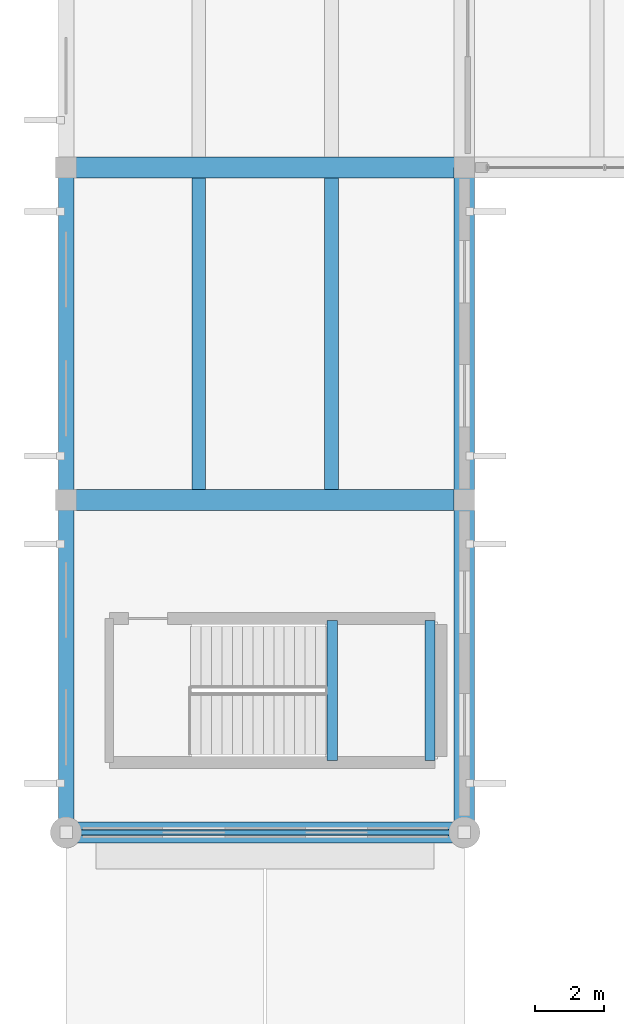
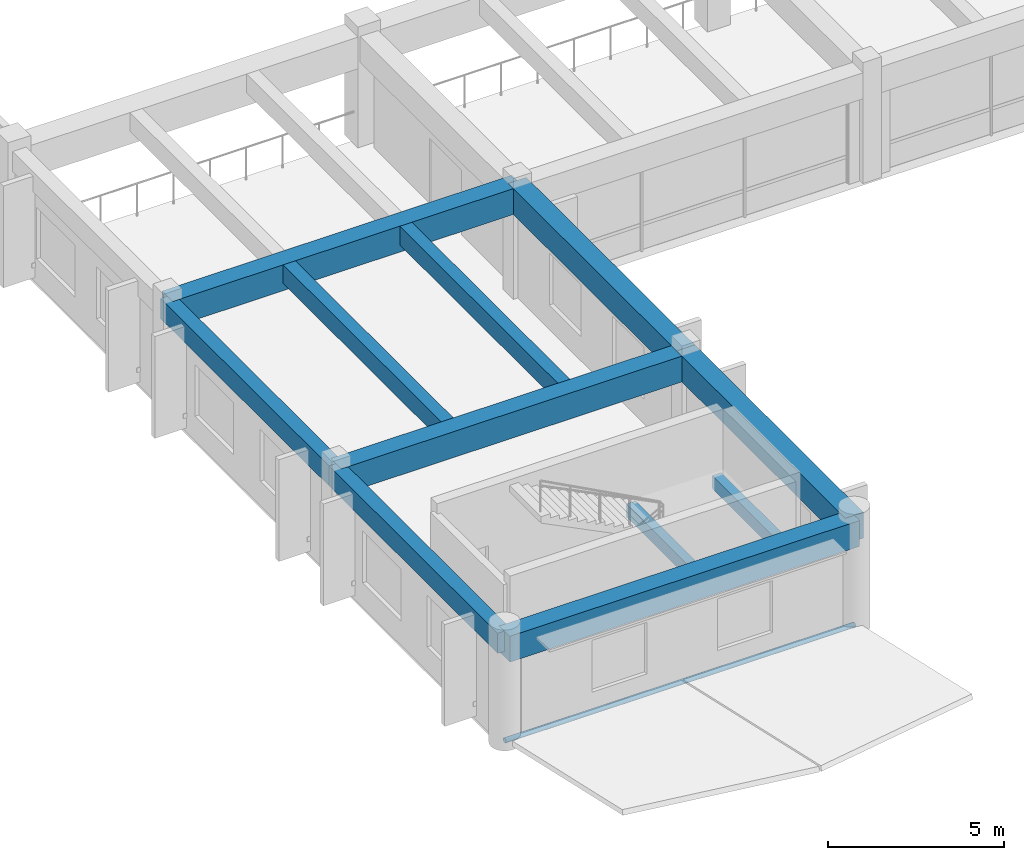
# One storey, part 3 of 98: 11 beams, 1 member.
"""IFC4 building model written with IfcOpenShell, lengths in metres."""

from ifc_helpers import new_model, si_unit, direction, frame, origin, origin_2d, place, context, subcontext, project, spatial, rectangle, hollow_circle, extrude, material, material_profile, profile_set, type_object, element, save


model = new_model("IFC4")

# Units and contexts
model_context = context("Model", 3, precision=1e-05, world=origin(), true_north=direction((0.0, 1.0)))
body_context = subcontext(model_context, "Body", "Model", "MODEL_VIEW")
ifc_project = project(units=[si_unit("LENGTHUNIT", "METRE"), si_unit("AREAUNIT", "SQUARE_METRE"), si_unit("VOLUMEUNIT", "CUBIC_METRE"), si_unit("PLANEANGLEUNIT", "RADIAN"), si_unit("MASSUNIT", "GRAM", prefix="KILO")], contexts=[model_context])

# Site, building, storey
site_placement = place(None, origin())
site = spatial("IfcSite", under=ifc_project, at=site_placement, CompositionType="ELEMENT")
building_placement = place(site_placement, origin())
building = spatial("IfcBuilding", under=site, at=building_placement, Name="Ologun Quay Terminus", CompositionType="ELEMENT")
storey_placement = place(building_placement, frame((0.0, 0.0, 4.199951171875)))
storey = spatial("IfcBuildingStorey", under=building, at=storey_placement, Name="L01", CompositionType="ELEMENT", Elevation=4.199951171875)

# Member
ifc_material_1 = material(Name="Steel S355", Category="steel")
ifc_material_profile_1 = material_profile(ifc_material_1, hollow_circle(Radius=0.084228515625, WallThickness=0.00634765625, at=origin_2d()), Name="CHS 168.3x6.3")
ifc_profile_set_1 = profile_set([ifc_material_profile_1], Name="Steel S355")
member_type = type_object("IfcMemberType", Name="Canopy Tie Strut CHS168", PredefinedType="STRUT", material=ifc_profile_set_1)
member_placement = place(storey_placement, frame((0.0, 8.0, 0.050048828125), z_axis=(1.0, 0.0, 0.0), x_axis=(0.0, 1.0, 0.0)))
element("IfcMember", 1, at=member_placement, inside=storey, type_object=member_type, Name="WB4 Canopy Tie S-1", PredefinedType="STRUT", context=body_context, shape_type="SweptSolid", body=[
    extrude(hollow_circle(Radius=0.084228515625, WallThickness=0.00634765625, at=origin_2d()), origin(), (0.0, 0.0, 1.0), 11.5),
])

# Beams
ifc_material_2 = material(Name="Concrete C40/50", Category="concrete")
ifc_material_profile_2 = material_profile(ifc_material_2, rectangle(XDim=0.300048828125, YDim=0.449951171875, at=origin_2d()), Name="RC 300x450")
ifc_profile_set_2 = profile_set([ifc_material_profile_2], Name="Concrete C40/50")
beam_type_1 = type_object("IfcBeamType", Name="Core Coupling Lintel Beam 300x450", PredefinedType="LINTEL", material=ifc_profile_set_2)
for number, where, z_axis, x_axis, name in (
    (2, (7.68994140625, 10.080078125, 1.695068359375), (0.0, 1.0, 0.0), (-1.0, 0.0, 0.0), "LN1 Half-Landing Ledger Beam ST-S1-W L01"),
    (3, (10.510009765625, 10.080078125, 1.695068359375), (0.0, 1.0, 0.0), (-1.0, 0.0, 0.0), "LN1 Half-Landing Ledger Beam ST-S1-E L01"),
):
    element("IfcBeam", number, at=place(storey_placement, frame(where, z_axis=z_axis, x_axis=x_axis)), inside=storey, type_object=beam_type_1, Name=name, PredefinedType="LINTEL", context=body_context, shape_type="SweptSolid", body=[
        extrude(rectangle(XDim=0.300048828125, YDim=0.449951171875, at=origin_2d()), origin(), (0.0, 0.0, 1.0), 4.0400390625),
    ])
ifc_material_3 = material(Name="Concrete C40/50", Category="concrete")
ifc_material_profile_3 = material_profile(ifc_material_3, rectangle(XDim=0.449951171875, YDim=0.699951171875, at=origin_2d()), Name="RC 450x700")
ifc_profile_set_3 = profile_set([ifc_material_profile_3], Name="Concrete C40/50")
beam_type_2 = type_object("IfcBeamType", Name="Perimeter Spandrel Beam 450x700", PredefinedType="SPANDREL", material=ifc_profile_set_3)
beam_1_placement = place(storey_placement, frame((0.0, 8.0, 3.5), z_axis=(0.0, 1.0, 0.0), x_axis=(-1.0, 0.0, 0.0)))
element("IfcBeam", 4, at=beam_1_placement, inside=storey, type_object=beam_type_2, Name="SP1 Beam 1/B L01", PredefinedType="SPANDREL", context=body_context, shape_type="SweptSolid", body=[
    extrude(rectangle(XDim=0.449951171875, YDim=0.699951171875, at=origin_2d()), origin(), (0.0, 0.0, 1.0), 9.60009765625),
])
beam_2_placement = place(storey_placement, frame((0.0, 17.60009765625, 3.5), z_axis=(0.0, 1.0, 0.0), x_axis=(-1.0, 0.0, 0.0)))
element("IfcBeam", 5, at=beam_2_placement, inside=storey, type_object=beam_type_2, Name="SP1 Beam 1/C L01", PredefinedType="SPANDREL", context=body_context, shape_type="SweptSolid", body=[
    extrude(rectangle(XDim=0.449951171875, YDim=0.699951171875, at=origin_2d()), origin(), (0.0, 0.0, 1.0), 9.599853515625),
])
ifc_material_4 = material(Name="Concrete C40/50", Category="concrete")
ifc_material_profile_4 = material_profile(ifc_material_4, rectangle(XDim=0.60009765625, YDim=0.89990234375, at=origin_2d()), Name="RC 600x900")
ifc_profile_set_4 = profile_set([ifc_material_profile_4], Name="Concrete C40/50")
beam_type_3 = type_object("IfcBeamType", Name="Station Frame Girder 600x900", PredefinedType="BEAM", material=ifc_profile_set_4)
for number, where, z_axis, x_axis, name in (
    (6, (0.0, 8.0, 3.400146484375), (1.0, 0.0, 0.0), (0.0, 1.0, 0.0), "B3 Beam 1/B L01"),
    (7, (0.0, 17.60009765625, 3.400146484375), (1.0, 0.0, 0.0), (0.0, 1.0, 0.0), "B3 Beam 1/C L01"),
    (8, (0.0, 27.199951171875, 3.400146484375), (1.0, 0.0, 0.0), (0.0, 1.0, 0.0), "B3 Beam 1/D L01"),
):
    element("IfcBeam", number, at=place(storey_placement, frame(where, z_axis=z_axis, x_axis=x_axis)), inside=storey, type_object=beam_type_3, Name=name, PredefinedType="BEAM", context=body_context, shape_type="SweptSolid", body=[
        extrude(rectangle(XDim=0.60009765625, YDim=0.89990234375, at=origin_2d()), origin(), (0.0, 0.0, 1.0), 11.5),
    ])
beam_3_placement = place(storey_placement, frame((11.5, 8.0, 3.400146484375), z_axis=(0.0, 1.0, 0.0), x_axis=(-1.0, 0.0, 0.0)))
element("IfcBeam", 9, at=beam_3_placement, inside=storey, type_object=beam_type_3, Name="B3 Beam 2/B L01", PredefinedType="BEAM", context=body_context, shape_type="SweptSolid", body=[
    extrude(rectangle(XDim=0.60009765625, YDim=0.89990234375, at=origin_2d()), origin(), (0.0, 0.0, 1.0), 9.60009765625),
])
beam_4_placement = place(storey_placement, frame((11.5, 17.60009765625, 3.400146484375), z_axis=(0.0, 1.0, 0.0), x_axis=(-1.0, 0.0, 0.0)))
element("IfcBeam", 10, at=beam_4_placement, inside=storey, type_object=beam_type_3, Name="B3 Beam 2/C L01", PredefinedType="BEAM", context=body_context, shape_type="SweptSolid", body=[
    extrude(rectangle(XDim=0.60009765625, YDim=0.89990234375, at=origin_2d()), origin(), (0.0, 0.0, 1.0), 9.599853515625),
])
ifc_material_5 = material(Name="Concrete C40/50", Category="concrete")
ifc_material_profile_5 = material_profile(ifc_material_5, rectangle(XDim=0.39990234375, YDim=0.64990234375, at=origin_2d()), Name="RC 400x650")
ifc_profile_set_5 = profile_set([ifc_material_profile_5], Name="Concrete C40/50")
beam_type_4 = type_object("IfcBeamType", Name="Station Secondary Joist 400x650", PredefinedType="JOIST", material=ifc_profile_set_5)
for number, where, z_axis, x_axis, name in (
    (11, (3.833251953125, 17.89990234375, 3.525146484375), (0.0, 1.0, 0.0), (-1.0, 0.0, 0.0), "J1 Beam 1/C L01"),
    (12, (7.666748046875, 17.89990234375, 3.525146484375), (0.0, 1.0, 0.0), (-1.0, 0.0, 0.0), "J1 Beam 1/C L01"),
):
    element("IfcBeam", number, at=place(storey_placement, frame(where, z_axis=z_axis, x_axis=x_axis)), inside=storey, type_object=beam_type_4, Name=name, PredefinedType="JOIST", context=body_context, shape_type="SweptSolid", body=[
        extrude(rectangle(XDim=0.39990234375, YDim=0.64990234375, at=origin_2d()), origin(), (0.0, 0.0, 1.0), 9.0),
    ])

save(model, "model.ifc")
